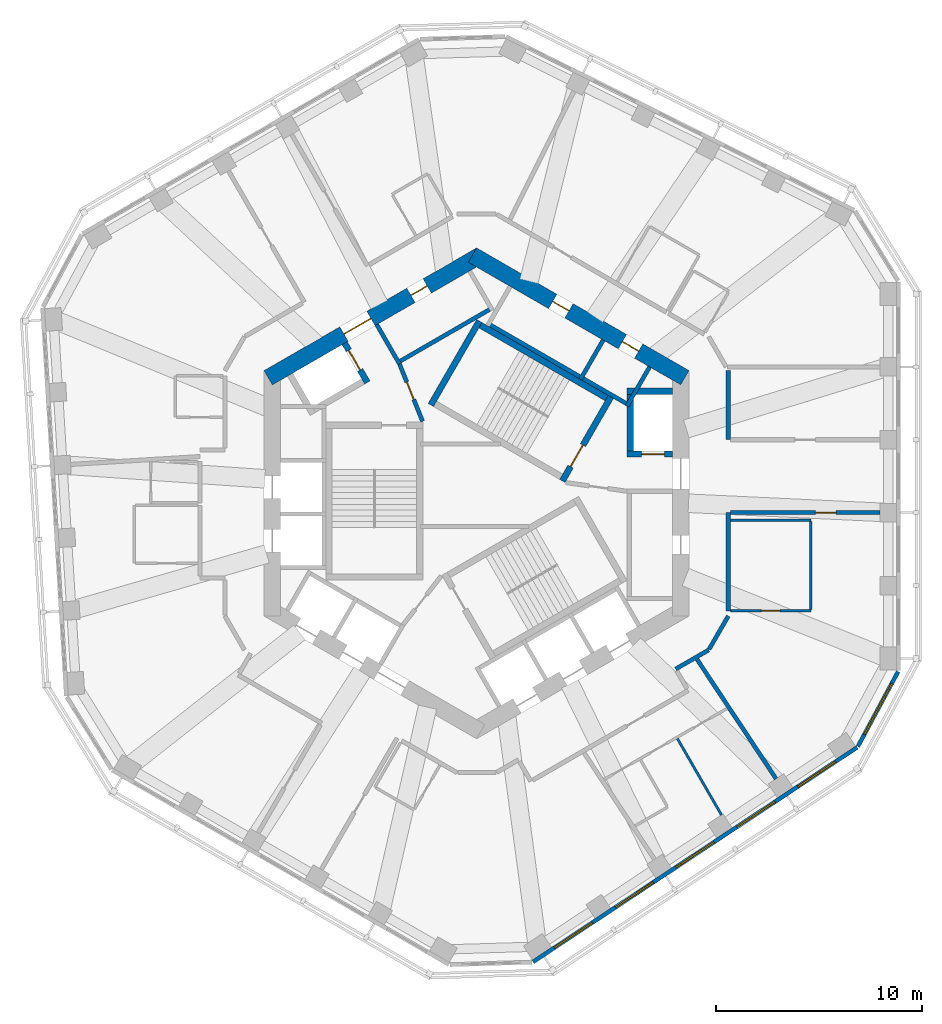
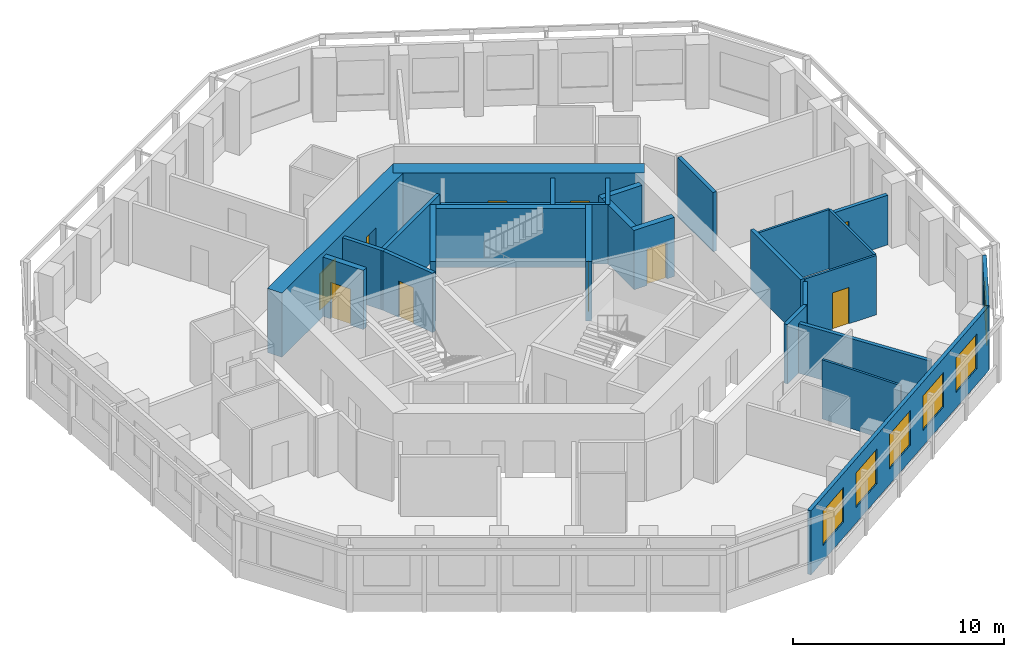
# One storey, part 6 of 11: 27 walls, 10 doors, 6 windows, 16 openings.
"""IFC4 building model written with IfcOpenShell, lengths in metres."""

from ifc_helpers import new_model, si_unit, direction, frame, frame_2d, origin, place, context, subcontext, project, spatial, rectangle, extrude, material, layer, layer_set, type_object, element, fill, save


model = new_model("IFC4")

# Units and contexts
model_context = context("Model", 3, precision=1e-05, world=origin(), true_north=direction((0.0, 1.0)))
body_context = subcontext(model_context, "Body", "Model", "MODEL_VIEW")
ifc_project = project(units=[si_unit("LENGTHUNIT", "METRE"), si_unit("AREAUNIT", "SQUARE_METRE"), si_unit("VOLUMEUNIT", "CUBIC_METRE"), si_unit("PLANEANGLEUNIT", "RADIAN"), si_unit("MASSUNIT", "GRAM", prefix="KILO")], contexts=[model_context])

# Site, building, storey
site_placement = place(None, origin())
site = spatial("IfcSite", under=ifc_project, at=site_placement, CompositionType="ELEMENT")
building_placement = place(site_placement, origin())
building = spatial("IfcBuilding", under=site, at=building_placement, Name="Vanh Sen Convention Tower", CompositionType="ELEMENT")
storey_placement = place(building_placement, frame((0.0, 0.0, 240.199951171875)))
storey = spatial("IfcBuildingStorey", under=building, at=storey_placement, Name="L59", CompositionType="ELEMENT", Elevation=240.199951171875)

# Walls
ifc_material_1 = material(Name="Moisture-resistant gypsum board on steel studs", Category="steel")
ifc_layer_1 = layer(ifc_material_1, 0.1201171875)
ifc_layer_set_1 = layer_set([ifc_layer_1], Name="Moisture-resistant gypsum board on steel studs")
wall_type_1 = type_object("IfcWallType", Name="Bathroom partition 120", PredefinedType="PARTITIONING", material=ifc_layer_set_1)
wall_1_placement = place(storey_placement, frame((11.8701171875, -15.587890625, 0.0), z_axis=(0.0, 0.0, 1.0), x_axis=(-0.49999774064, 0.866026708223, 0.0)))
element("IfcWall", 1, at=wall_1_placement, inside=storey, type_object=wall_type_1, Name="Bathroom partition 120", PredefinedType="PARTITIONING", context=body_context, shape_type="SweptSolid", body=[
    extrude(rectangle(XDim=4.2734375, YDim=0.1201171875, at=frame_2d((2.13671875, 0.0))), origin(), (0.0, 0.0, 1.0), 3.420166015625),
])
wall_2_placement = place(storey_placement, frame((12.300048828125, -1.296630859375, 0.0), z_axis=(0.0, 0.0, 1.0), x_axis=(1.0, 0.0, 0.0)))
element("IfcWall", 2, at=wall_2_placement, inside=storey, type_object=wall_type_1, Name="Bathroom partition 120", PredefinedType="PARTITIONING", context=body_context, shape_type="SweptSolid", body=[
    extrude(rectangle(XDim=3.89990234375, YDim=0.1201171875, at=frame_2d((1.949951171875, 0.0))), origin(), (0.0, 0.0, 1.0), 3.420166015625),
])

# Wall, opening, door
wall_3_placement = place(storey_placement, frame((16.199951171875, -5.69677734375, 0.0), z_axis=(0.0, 0.0, 1.0), x_axis=(-1.0, 0.0, 0.0)))
wall_3 = element("IfcWall", 3, at=wall_3_placement, inside=storey, type_object=wall_type_1, Name="Bathroom partition 120", PredefinedType="PARTITIONING", context=body_context, shape_type="SweptSolid", body=[
    extrude(rectangle(XDim=3.89990234375, YDim=0.1201171875, at=frame_2d((1.949951171875, 0.0))), origin(), (0.0, 0.0, 1.0), 3.420166015625),
])
opening_1_placement = place(wall_3_placement, frame((1.5, 0.0, 0.0)))
opening_1 = element("IfcOpeningElement", 4, at=opening_1_placement, cuts=wall_3, Name="Opening D59119", PredefinedType="OPENING", context=body_context, shape_type="SweptSolid", body=[
    extrude(rectangle(XDim=0.89990234375, YDim=2.10009765625, at=frame_2d((0.449951171875, 1.050048828125))), frame((0.0, 0.070068359375, 0.0), z_axis=(0.0, -1.0, 0.0), x_axis=(1.0, 0.0, 0.0)), (0.0, 0.0, 1.0), 0.14013671875),
])
ifc_material_2 = material(Name="Laminate door in steel frame", Category="steel")
door_type_1 = type_object("IfcDoorType", Name="Room internal door 900", OperationType="SINGLE_SWING_LEFT", PredefinedType="DOOR", material=ifc_material_2)
door_1_placement = place(opening_1_placement, origin())
door_1 = element("IfcDoor", 5, at=door_1_placement, inside=storey, type_object=door_type_1, Name="Internal room door D59119", OperationType="SINGLE_SWING_LEFT", OverallHeight=2.10009765625, OverallWidth=0.89990234375, PredefinedType="DOOR", context=body_context, shape_type="SweptSolid", body=[
    extrude(rectangle(XDim=0.89990234375, YDim=2.10009765625, at=frame_2d((0.449951171875, 1.050048828125))), frame((0.0, 0.02490234375, 0.0), z_axis=(0.0, -1.0, 0.0), x_axis=(1.0, 0.0, 0.0)), (0.0, 0.0, 1.0), 0.050048828125),
])
fill(opening_1, door_1)

# Wall
wall_4_placement = place(storey_placement, frame((16.199951171875, -1.356689453125, 0.0), z_axis=(0.0, 0.0, 1.0), x_axis=(0.0, -1.0, 0.0)))
element("IfcWall", 6, at=wall_4_placement, inside=storey, type_object=wall_type_1, Name="Bathroom partition 120", PredefinedType="PARTITIONING", context=body_context, shape_type="SweptSolid", body=[
    extrude(rectangle(XDim=4.280029296875, YDim=0.1201171875, at=frame_2d((2.14013671875, 0.0))), origin(), (0.0, 0.0, 1.0), 3.420166015625),
])

# Wall, openings, doors
ifc_material_3 = material(Name="Concrete C60/75", Category="concrete")
ifc_layer_2 = layer(ifc_material_3, 0.800048828125)
ifc_layer_set_2 = layer_set([ifc_layer_2], Name="Concrete C60/75")
wall_type_2 = type_object("IfcWallType", Name="Core outer wall 800 C60/75", PredefinedType="SHEAR", material=ifc_layer_set_2)
wall_5_placement = place(storey_placement, frame((10.10009765625, 5.600341796875, 0.0), z_axis=(0.0, 0.0, 1.0), x_axis=(-0.866023897231, 0.500002609418, 0.0)))
wall_5 = element("IfcWall", 7, at=wall_5_placement, inside=storey, type_object=wall_type_2, Name="Core wall face NE L59", PredefinedType="SHEAR", context=body_context, shape_type="SweptSolid", body=[
    extrude(rectangle(XDim=11.8935546875, YDim=0.800048828125, at=frame_2d((5.94677734375, 0.0))), origin(), (0.0, 0.0, 1.0), 3.699951171875),
])
opening_2_placement = place(wall_5_placement, frame((2.5966796875, 0.0, 0.0)))
opening_2 = element("IfcOpeningElement", 8, at=opening_2_placement, cuts=wall_5, Name="Opening D59011", PredefinedType="OPENING", context=body_context, shape_type="SweptSolid", body=[
    extrude(rectangle(XDim=0.89990234375, YDim=2.10009765625, at=frame_2d((0.449951171875, 1.050048828125))), frame((0.0, 0.409912109375, 0.0), z_axis=(0.0, -1.0, 0.0), x_axis=(1.0, 0.0, 0.0)), (0.0, 0.0, 1.0), 0.820068359375),
])
opening_3_placement = place(wall_5_placement, frame((6.49658203125, 0.0, 0.0)))
opening_3 = element("IfcOpeningElement", 9, at=opening_3_placement, cuts=wall_5, Name="Opening D59012", PredefinedType="OPENING", context=body_context, shape_type="SweptSolid", body=[
    extrude(rectangle(XDim=0.89990234375, YDim=2.10009765625, at=frame_2d((0.449951171875, 1.050048828125))), frame((0.0, 0.409912109375, 0.0), z_axis=(0.0, -1.0, 0.0), x_axis=(1.0, 0.0, 0.0)), (0.0, 0.0, 1.0), 0.820068359375),
])
ifc_material_4 = material(Name="Steel S355", Category="steel")
door_type_2 = type_object("IfcDoorType", Name="Plant door 900", OperationType="SINGLE_SWING_LEFT", PredefinedType="DOOR", material=ifc_material_4)
door_2_placement = place(opening_2_placement, origin())
door_2 = element("IfcDoor", 10, at=door_2_placement, inside=storey, type_object=door_type_2, Name="Plant door D59011", OperationType="SINGLE_SWING_LEFT", OverallHeight=2.10009765625, OverallWidth=0.89990234375, PredefinedType="DOOR", context=body_context, shape_type="SweptSolid", body=[
    extrude(rectangle(XDim=0.89990234375, YDim=2.10009765625, at=frame_2d((0.449951171875, 1.050048828125))), frame((0.0, 0.02490234375, 0.0), z_axis=(0.0, -1.0, 0.0), x_axis=(1.0, 0.0, 0.0)), (0.0, 0.0, 1.0), 0.050048828125),
])
fill(opening_2, door_2)
door_3_placement = place(opening_3_placement, origin())
door_3 = element("IfcDoor", 11, at=door_3_placement, inside=storey, type_object=door_type_2, Name="Plant door D59012", OperationType="SINGLE_SWING_LEFT", OverallHeight=2.10009765625, OverallWidth=0.89990234375, PredefinedType="DOOR", context=body_context, shape_type="SweptSolid", body=[
    extrude(rectangle(XDim=0.89990234375, YDim=2.10009765625, at=frame_2d((0.449951171875, 1.050048828125))), frame((0.0, 0.02490234375, 0.0), z_axis=(0.0, -1.0, 0.0), x_axis=(1.0, 0.0, 0.0)), (0.0, 0.0, 1.0), 0.050048828125),
])
fill(opening_3, door_3)

wall_6_placement = place(storey_placement, frame((0.199951171875, 11.547119140625, 0.0), z_axis=(0.0, 0.0, 1.0), x_axis=(-0.866023897231, -0.500002609418, 0.0)))
wall_6 = element("IfcWall", 12, at=wall_6_placement, inside=storey, type_object=wall_type_2, Name="Core wall face NW L59", PredefinedType="SHEAR", context=body_context, shape_type="SweptSolid", body=[
    extrude(rectangle(XDim=11.8935546875, YDim=0.800048828125, at=frame_2d((5.94677734375, 0.0))), origin(), (0.0, 0.0, 1.0), 3.699951171875),
])
opening_4_placement = place(wall_6_placement, frame((6.146728515625, 0.0, 0.0)))
opening_4 = element("IfcOpeningElement", 13, at=opening_4_placement, cuts=wall_6, Name="Opening D59002", PredefinedType="OPENING", context=body_context, shape_type="SweptSolid", body=[
    extrude(rectangle(XDim=1.5, YDim=2.10009765625, at=frame_2d((0.75, 1.050048828125))), frame((0.0, 0.409912109375, 0.0), z_axis=(0.0, -1.0, 0.0), x_axis=(1.0, 0.0, 0.0)), (0.0, 0.0, 1.0), 0.820068359375),
])
opening_5_placement = place(wall_6_placement, frame((2.99658203125, 0.0, 0.0)))
opening_5 = element("IfcOpeningElement", 14, at=opening_5_placement, cuts=wall_6, Name="Opening D59013", PredefinedType="OPENING", context=body_context, shape_type="SweptSolid", body=[
    extrude(rectangle(XDim=0.89990234375, YDim=2.10009765625, at=frame_2d((0.449951171875, 1.050048828125))), frame((0.0, 0.409912109375, 0.0), z_axis=(0.0, -1.0, 0.0), x_axis=(1.0, 0.0, 0.0)), (0.0, 0.0, 1.0), 0.820068359375),
])
door_4_placement = place(opening_5_placement, origin())
door_4 = element("IfcDoor", 15, at=door_4_placement, inside=storey, type_object=door_type_2, Name="Plant door D59013", OperationType="SINGLE_SWING_LEFT", OverallHeight=2.10009765625, OverallWidth=0.89990234375, PredefinedType="DOOR", context=body_context, shape_type="SweptSolid", body=[
    extrude(rectangle(XDim=0.89990234375, YDim=2.10009765625, at=frame_2d((0.449951171875, 1.050048828125))), frame((0.0, 0.02490234375, 0.0), z_axis=(0.0, -1.0, 0.0), x_axis=(1.0, 0.0, 0.0)), (0.0, 0.0, 1.0), 0.050048828125),
])
fill(opening_5, door_4)
door_type_3 = type_object("IfcDoorType", Name="Stair lobby door 1500", OperationType="DOUBLE_DOOR_SINGLE_SWING", PredefinedType="DOOR", material=ifc_material_4)
door_5_placement = place(opening_4_placement, origin())
door_5 = element("IfcDoor", 16, at=door_5_placement, inside=storey, type_object=door_type_3, Name="Stair lobby door D59002", OperationType="DOUBLE_DOOR_SINGLE_SWING", OverallHeight=2.10009765625, OverallWidth=1.5, PredefinedType="DOOR", context=body_context, shape_type="SweptSolid", body=[
    extrude(rectangle(XDim=1.5, YDim=2.10009765625, at=frame_2d((0.75, 1.050048828125))), frame((0.0, 0.02490234375, 0.0), z_axis=(0.0, -1.0, 0.0), x_axis=(1.0, 0.0, 0.0)), (0.0, 0.0, 1.0), 0.050048828125),
])
fill(opening_4, door_5)

# Walls
ifc_material_5 = material(Name="Gypsum board on steel studs with mineral wool", Category="steel")
ifc_layer_3 = layer(ifc_material_5, 0.199951171875)
ifc_layer_set_3 = layer_set([ifc_layer_3], Name="Gypsum board on steel studs with mineral wool")
wall_type_3 = type_object("IfcWallType", Name="Corridor partition wall 200", PredefinedType="PARTITIONING", material=ifc_layer_set_3)
wall_7_placement = place(storey_placement, frame((9.651611328125, -8.514892578125, 0.0), z_axis=(0.0, 0.0, 1.0), x_axis=(0.866020375458, 0.500008709215, 0.0)))
element("IfcWall", 17, at=wall_7_placement, inside=storey, type_object=wall_type_3, Name="Corridor partition wall 200", PredefinedType="PARTITIONING", context=body_context, shape_type="SweptSolid", body=[
    extrude(rectangle(XDim=1.845703125, YDim=0.199951171875, at=frame_2d((0.9228515625, 0.0))), origin(), (0.0, 0.0, 1.0), 3.420166015625),
])
wall_8_placement = place(storey_placement, frame((11.27001953125, -7.5576171875, 0.0), z_axis=(0.0, 0.0, 1.0), x_axis=(0.499964847546, 0.866045698112, 0.0)))
element("IfcWall", 18, at=wall_8_placement, inside=storey, type_object=wall_type_3, Name="Corridor partition wall 200", PredefinedType="PARTITIONING", context=body_context, shape_type="SweptSolid", body=[
    extrude(rectangle(XDim=1.860107421875, YDim=0.199951171875, at=frame_2d((0.93017578125, 0.0))), origin(), (0.0, 0.0, 1.0), 3.420166015625),
])
wall_9_placement = place(storey_placement, frame((12.199951171875, -5.69677734375, 0.0), z_axis=(0.0, 0.0, 1.0), x_axis=(0.0, 1.0, 0.0)))
element("IfcWall", 19, at=wall_9_placement, inside=storey, type_object=wall_type_3, Name="Corridor partition wall 200", PredefinedType="PARTITIONING", context=body_context, shape_type="SweptSolid", body=[
    extrude(rectangle(XDim=4.76123046875, YDim=0.199951171875, at=frame_2d((2.380615234375, 0.0))), origin(), (0.0, 0.0, 1.0), 3.420166015625),
])
wall_10_placement = place(storey_placement, frame((12.199951171875, 2.59814453125, 0.0), z_axis=(0.0, 0.0, 1.0), x_axis=(0.0, 1.0, 0.0)))
element("IfcWall", 20, at=wall_10_placement, inside=storey, type_object=wall_type_3, Name="Corridor partition wall 200", PredefinedType="PARTITIONING", context=body_context, shape_type="SweptSolid", body=[
    extrude(rectangle(XDim=3.3486328125, YDim=0.199951171875, at=frame_2d((1.67431640625, 0.0))), origin(), (0.0, 0.0, 1.0), 3.420166015625),
])

# Wall, opening, door
wall_11_placement = place(storey_placement, frame((12.300048828125, -0.935546875, 0.0), z_axis=(0.0, 0.0, 1.0), x_axis=(1.0, 0.0, 0.0)))
wall_11 = element("IfcWall", 21, at=wall_11_placement, inside=storey, type_object=wall_type_3, Name="Corridor partition wall 200", PredefinedType="PARTITIONING", context=body_context, shape_type="SweptSolid", body=[
    extrude(rectangle(XDim=7.25, YDim=0.199951171875, at=frame_2d((3.625, 0.0))), origin(), (0.0, 0.0, 1.0), 2.8701171875),
])
opening_6_placement = place(wall_11_placement, frame((4.125, 0.0, 0.0)))
opening_6 = element("IfcOpeningElement", 22, at=opening_6_placement, cuts=wall_11, Name="Opening D59118", PredefinedType="OPENING", context=body_context, shape_type="SweptSolid", body=[
    extrude(rectangle(XDim=1.0, YDim=2.10009765625, at=frame_2d((0.5, 1.050048828125))), frame((0.0, 0.10986328125, 0.0), z_axis=(0.0, -1.0, 0.0), x_axis=(1.0, 0.0, 0.0)), (0.0, 0.0, 1.0), 0.219970703125),
])
ifc_material_6 = material(Name="Glazed fire door in steel frame", Category="steel")
door_type_4 = type_object("IfcDoorType", Name="Tenant entrance door 1000", OperationType="SINGLE_SWING_LEFT", PredefinedType="DOOR", material=ifc_material_6)
door_6_placement = place(opening_6_placement, origin())
door_6 = element("IfcDoor", 23, at=door_6_placement, inside=storey, type_object=door_type_4, Name="Tenant suite entrance door D59118", OperationType="SINGLE_SWING_LEFT", OverallHeight=2.10009765625, OverallWidth=1.0, PredefinedType="DOOR", context=body_context, shape_type="SweptSolid", body=[
    extrude(rectangle(XDim=1.0, YDim=2.10009765625, at=frame_2d((0.5, 1.050048828125))), frame((0.0, 0.02490234375, 0.0), z_axis=(0.0, -1.0, 0.0), x_axis=(1.0, 0.0, 0.0)), (0.0, 0.0, 1.0), 0.050048828125),
])
fill(opening_6, door_6)

# Wall, openings, windows
ifc_material_7 = material(Name="Insulated lightweight infill wall")
ifc_layer_4 = layer(ifc_material_7, 0.199951171875)
ifc_layer_set_4 = layer_set([ifc_layer_4], Name="Insulated lightweight infill wall")
wall_type_4 = type_object("IfcWallType", Name="External wall 200", PredefinedType="STANDARD", material=ifc_layer_set_4)
wall_12_placement = place(storey_placement, frame((2.739013671875, -22.7109375, 0.0), z_axis=(0.0, 0.0, 1.0), x_axis=(0.833885723098, 0.551937134838, 0.0)))
wall_12 = element("IfcWall", 24, at=wall_12_placement, inside=storey, type_object=wall_type_4, Name="External wall SE L59", PredefinedType="STANDARD", context=body_context, shape_type="SweptSolid", body=[
    extrude(rectangle(XDim=18.84130859375, YDim=0.199951171875, at=frame_2d((9.420654296875, 0.0))), origin(), (0.0, 0.0, 1.0), 3.699951171875),
])
opening_7_placement = place(wall_12_placement, frame((1.25244140625, 0.0, 0.89990234375)))
opening_7 = element("IfcOpeningElement", 25, at=opening_7_placement, cuts=wall_12, Name="Opening WO3-SE1", PredefinedType="OPENING", context=body_context, shape_type="SweptSolid", body=[
    extrude(rectangle(XDim=2.199951171875, YDim=2.0, at=frame_2d((1.10009765625, 1.0))), frame((0.0, 0.10986328125, 0.0), z_axis=(0.0, -1.0, 0.0), x_axis=(1.0, 0.0, 0.0)), (0.0, 0.0, 1.0), 0.219970703125),
])
opening_8_placement = place(wall_12_placement, frame((4.7861328125, 0.0, 0.89990234375)))
opening_8 = element("IfcOpeningElement", 26, at=opening_8_placement, cuts=wall_12, Name="Opening WO3-SE2", PredefinedType="OPENING", context=body_context, shape_type="SweptSolid", body=[
    extrude(rectangle(XDim=2.199951171875, YDim=2.0, at=frame_2d((1.10009765625, 1.0))), frame((0.0, 0.10986328125, 0.0), z_axis=(0.0, -1.0, 0.0), x_axis=(1.0, 0.0, 0.0)), (0.0, 0.0, 1.0), 0.219970703125),
])
opening_9_placement = place(wall_12_placement, frame((8.31982421875, 0.0, 0.89990234375)))
opening_9 = element("IfcOpeningElement", 27, at=opening_9_placement, cuts=wall_12, Name="Opening WO3-SE3", PredefinedType="OPENING", context=body_context, shape_type="SweptSolid", body=[
    extrude(rectangle(XDim=2.199951171875, YDim=2.0, at=frame_2d((1.10009765625, 1.0))), frame((0.0, 0.10986328125, 0.0), z_axis=(0.0, -1.0, 0.0), x_axis=(1.0, 0.0, 0.0)), (0.0, 0.0, 1.0), 0.219970703125),
])
opening_10_placement = place(wall_12_placement, frame((11.853515625, 0.0, 0.89990234375)))
opening_10 = element("IfcOpeningElement", 28, at=opening_10_placement, cuts=wall_12, Name="Opening WO3-SE4", PredefinedType="OPENING", context=body_context, shape_type="SweptSolid", body=[
    extrude(rectangle(XDim=2.199951171875, YDim=2.0, at=frame_2d((1.10009765625, 1.0))), frame((0.0, 0.10986328125, 0.0), z_axis=(0.0, -1.0, 0.0), x_axis=(1.0, 0.0, 0.0)), (0.0, 0.0, 1.0), 0.219970703125),
])
opening_11_placement = place(wall_12_placement, frame((15.386962890625, 0.0, 0.89990234375)))
opening_11 = element("IfcOpeningElement", 29, at=opening_11_placement, cuts=wall_12, Name="Opening WO3-SE5", PredefinedType="OPENING", context=body_context, shape_type="SweptSolid", body=[
    extrude(rectangle(XDim=2.199951171875, YDim=2.0, at=frame_2d((1.10009765625, 1.0))), frame((0.0, 0.10986328125, 0.0), z_axis=(0.0, -1.0, 0.0), x_axis=(1.0, 0.0, 0.0)), (0.0, 0.0, 1.0), 0.219970703125),
])
ifc_material_8 = material(Name="Aluminium frame with clear low-emissivity glass", Category="aluminium")
window_type_1 = type_object("IfcWindowType", Name="Office window 2200 x 2000", PartitioningType="SINGLE_PANEL", PredefinedType="WINDOW", material=ifc_material_8)
window_1_placement = place(opening_7_placement, origin())
window_1 = element("IfcWindow", 30, at=window_1_placement, inside=storey, type_object=window_type_1, Name="Window WO3-SE1", OverallHeight=2.0, OverallWidth=2.199951171875, PartitioningType="SINGLE_PANEL", PredefinedType="WINDOW", context=body_context, shape_type="SweptSolid", body=[
    extrude(rectangle(XDim=2.199951171875, YDim=2.0, at=frame_2d((1.10009765625, 1.0))), frame((0.0, 0.030029296875, 0.0), z_axis=(0.0, -1.0, 0.0), x_axis=(1.0, 0.0, 0.0)), (0.0, 0.0, 1.0), 0.06005859375),
])
fill(opening_7, window_1)
window_2_placement = place(opening_8_placement, origin())
window_2 = element("IfcWindow", 31, at=window_2_placement, inside=storey, type_object=window_type_1, Name="Window WO3-SE2", OverallHeight=2.0, OverallWidth=2.199951171875, PartitioningType="SINGLE_PANEL", PredefinedType="WINDOW", context=body_context, shape_type="SweptSolid", body=[
    extrude(rectangle(XDim=2.199951171875, YDim=2.0, at=frame_2d((1.10009765625, 1.0))), frame((0.0, 0.030029296875, 0.0), z_axis=(0.0, -1.0, 0.0), x_axis=(1.0, 0.0, 0.0)), (0.0, 0.0, 1.0), 0.06005859375),
])
fill(opening_8, window_2)
window_3_placement = place(opening_9_placement, origin())
window_3 = element("IfcWindow", 32, at=window_3_placement, inside=storey, type_object=window_type_1, Name="Window WO3-SE3", OverallHeight=2.0, OverallWidth=2.199951171875, PartitioningType="SINGLE_PANEL", PredefinedType="WINDOW", context=body_context, shape_type="SweptSolid", body=[
    extrude(rectangle(XDim=2.199951171875, YDim=2.0, at=frame_2d((1.10009765625, 1.0))), frame((0.0, 0.030029296875, 0.0), z_axis=(0.0, -1.0, 0.0), x_axis=(1.0, 0.0, 0.0)), (0.0, 0.0, 1.0), 0.06005859375),
])
fill(opening_9, window_3)
window_4_placement = place(opening_10_placement, origin())
window_4 = element("IfcWindow", 33, at=window_4_placement, inside=storey, type_object=window_type_1, Name="Window WO3-SE4", OverallHeight=2.0, OverallWidth=2.199951171875, PartitioningType="SINGLE_PANEL", PredefinedType="WINDOW", context=body_context, shape_type="SweptSolid", body=[
    extrude(rectangle(XDim=2.199951171875, YDim=2.0, at=frame_2d((1.10009765625, 1.0))), frame((0.0, 0.030029296875, 0.0), z_axis=(0.0, -1.0, 0.0), x_axis=(1.0, 0.0, 0.0)), (0.0, 0.0, 1.0), 0.06005859375),
])
fill(opening_10, window_4)
window_5_placement = place(opening_11_placement, origin())
window_5 = element("IfcWindow", 34, at=window_5_placement, inside=storey, type_object=window_type_1, Name="Window WO3-SE5", OverallHeight=2.0, OverallWidth=2.199951171875, PartitioningType="SINGLE_PANEL", PredefinedType="WINDOW", context=body_context, shape_type="SweptSolid", body=[
    extrude(rectangle(XDim=2.199951171875, YDim=2.0, at=frame_2d((1.10009765625, 1.0))), frame((0.0, 0.030029296875, 0.0), z_axis=(0.0, -1.0, 0.0), x_axis=(1.0, 0.0, 0.0)), (0.0, 0.0, 1.0), 0.06005859375),
])
fill(opening_11, window_5)

# Wall, opening, window
wall_13_placement = place(storey_placement, frame((18.4833984375, -12.275634765625, 0.0), z_axis=(0.0, 0.0, 1.0), x_axis=(0.473267675015, 0.880918672629, 0.0)))
wall_13 = element("IfcWall", 35, at=wall_13_placement, inside=storey, type_object=wall_type_4, Name="External wall CH6 L59", PredefinedType="STANDARD", context=body_context, shape_type="SweptSolid", body=[
    extrude(rectangle(XDim=4.1298828125, YDim=0.199951171875, at=frame_2d((2.06494140625, 0.0))), origin(), (0.0, 0.0, 1.0), 3.699951171875),
])
opening_12_placement = place(wall_13_placement, frame((0.6650390625, 0.0, 0.89990234375)))
opening_12 = element("IfcOpeningElement", 36, at=opening_12_placement, cuts=wall_13, Name="Opening WO4-CH61", PredefinedType="OPENING", context=body_context, shape_type="SweptSolid", body=[
    extrude(rectangle(XDim=2.800048828125, YDim=2.0, at=frame_2d((1.39990234375, 1.0))), frame((0.0, 0.10986328125, 0.0), z_axis=(0.0, -1.0, 0.0), x_axis=(1.0, 0.0, 0.0)), (0.0, 0.0, 1.0), 0.219970703125),
])
window_type_2 = type_object("IfcWindowType", Name="Office window 2800 x 2000", PartitioningType="SINGLE_PANEL", PredefinedType="WINDOW", material=ifc_material_8)
window_6_placement = place(opening_12_placement, origin())
window_6 = element("IfcWindow", 37, at=window_6_placement, inside=storey, type_object=window_type_2, Name="Window WO4-CH61", OverallHeight=2.0, OverallWidth=2.800048828125, PartitioningType="SINGLE_PANEL", PredefinedType="WINDOW", context=body_context, shape_type="SweptSolid", body=[
    extrude(rectangle(XDim=2.800048828125, YDim=2.0, at=frame_2d((1.39990234375, 1.0))), frame((0.0, 0.030029296875, 0.0), z_axis=(0.0, -1.0, 0.0), x_axis=(1.0, 0.0, 0.0)), (0.0, 0.0, 1.0), 0.06005859375),
])
fill(opening_12, window_6)

# Wall, opening, door
ifc_layer_5 = layer(ifc_material_3, 0.300048828125)
ifc_layer_set_5 = layer_set([ifc_layer_5], Name="Concrete C60/75")
wall_type_5 = type_object("IfcWallType", Name="Fire-fighting lift shaft wall 300", PredefinedType="SHEAR", material=ifc_layer_set_5)
wall_14_placement = place(storey_placement, frame((7.300048828125, 1.89990234375, 0.0), z_axis=(0.0, 0.0, 1.0), x_axis=(1.0, 0.0, 0.0)))
wall_14 = element("IfcWall", 38, at=wall_14_placement, inside=storey, type_object=wall_type_5, Name="Fire-fighting lift shaft wall L59", PredefinedType="SHEAR", context=body_context, shape_type="SweptSolid", body=[
    extrude(rectangle(XDim=2.199951171875, YDim=0.300048828125, at=frame_2d((1.10009765625, 0.0))), origin(), (0.0, 0.0, 1.0), 3.420166015625),
])
opening_13_placement = place(wall_14_placement, frame((0.699951171875, 0.0, 0.0)))
opening_13 = element("IfcOpeningElement", 39, at=opening_13_placement, cuts=wall_14, Name="Opening LD-FF1", PredefinedType="OPENING", context=body_context, shape_type="SweptSolid", body=[
    extrude(rectangle(XDim=1.10009765625, YDim=2.10009765625, at=frame_2d((0.550048828125, 1.050048828125))), frame((0.0, 0.159912109375, 0.0), z_axis=(0.0, -1.0, 0.0), x_axis=(1.0, 0.0, 0.0)), (0.0, 0.0, 1.0), 0.320068359375),
])
ifc_material_9 = material(Name="Stainless steel", Category="steel")
door_type_5 = type_object("IfcDoorType", Name="Fire-fighting lift landing door 1100", OperationType="DOUBLE_DOOR_SLIDING", PredefinedType="DOOR", material=ifc_material_9)
door_7_placement = place(opening_13_placement, origin())
door_7 = element("IfcDoor", 40, at=door_7_placement, inside=storey, type_object=door_type_5, Name="Lift FF1 landing door LD-FF1", OperationType="DOUBLE_DOOR_SLIDING", OverallHeight=2.10009765625, OverallWidth=1.10009765625, PredefinedType="DOOR", context=body_context, shape_type="SweptSolid", body=[
    extrude(rectangle(XDim=1.10009765625, YDim=2.10009765625, at=frame_2d((0.550048828125, 1.050048828125))), frame((0.0, 0.02490234375, 0.0), z_axis=(0.0, -1.0, 0.0), x_axis=(1.0, 0.0, 0.0)), (0.0, 0.0, 1.0), 0.050048828125),
])
fill(opening_13, door_7)

# Walls
wall_15_placement = place(storey_placement, frame((7.449951171875, 1.75, 0.0), z_axis=(0.0, 0.0, 1.0), x_axis=(0.0, 1.0, 0.0)))
element("IfcWall", 41, at=wall_15_placement, inside=storey, type_object=wall_type_5, Name="Fire-fighting lift shaft wall L59", PredefinedType="SHEAR", context=body_context, shape_type="SweptSolid", body=[
    extrude(rectangle(XDim=3.35009765625, YDim=0.300048828125, at=frame_2d((1.675048828125, 0.0))), origin(), (0.0, 0.0, 1.0), 3.420166015625),
])
wall_16_placement = place(storey_placement, frame((7.300048828125, 4.949951171875, 0.0), z_axis=(0.0, 0.0, 1.0), x_axis=(1.0, 0.0, 0.0)))
element("IfcWall", 42, at=wall_16_placement, inside=storey, type_object=wall_type_5, Name="Fire-fighting lift shaft wall L59", PredefinedType="SHEAR", context=body_context, shape_type="SweptSolid", body=[
    extrude(rectangle(XDim=2.199951171875, YDim=0.300048828125, at=frame_2d((1.10009765625, 0.0))), origin(), (0.0, 0.0, 1.0), 3.420166015625),
])

# Wall, opening, door
wall_17_placement = place(storey_placement, frame((-5.29541015625, 5.3720703125, 0.0), z_axis=(0.0, 0.0, 1.0), x_axis=(-0.500077893725, 0.86598042715, 0.0)))
wall_17 = element("IfcWall", 43, at=wall_17_placement, inside=storey, type_object=wall_type_5, Name="Fire-fighting lift shaft wall L59", PredefinedType="SHEAR", context=body_context, shape_type="SweptSolid", body=[
    extrude(rectangle(XDim=2.199951171875, YDim=0.300048828125, at=frame_2d((1.10009765625, 0.0))), origin(), (0.0, 0.0, 1.0), 3.420166015625),
])
opening_14_placement = place(wall_17_placement, frame((0.699951171875, 0.0, 0.0)))
opening_14 = element("IfcOpeningElement", 44, at=opening_14_placement, cuts=wall_17, Name="Opening LD-FF2", PredefinedType="OPENING", context=body_context, shape_type="SweptSolid", body=[
    extrude(rectangle(XDim=1.10009765625, YDim=2.10009765625, at=frame_2d((0.550048828125, 1.050048828125))), frame((0.0, 0.159912109375, 0.0), z_axis=(0.0, -1.0, 0.0), x_axis=(1.0, 0.0, 0.0)), (0.0, 0.0, 1.0), 0.320068359375),
])
door_8_placement = place(opening_14_placement, origin())
door_8 = element("IfcDoor", 45, at=door_8_placement, inside=storey, type_object=door_type_5, Name="Lift FF2 landing door LD-FF2", OperationType="DOUBLE_DOOR_SLIDING", OverallHeight=2.10009765625, OverallWidth=1.10009765625, PredefinedType="DOOR", context=body_context, shape_type="SweptSolid", body=[
    extrude(rectangle(XDim=1.10009765625, YDim=2.10009765625, at=frame_2d((0.550048828125, 1.050048828125))), frame((0.0, 0.02490234375, 0.0), z_axis=(0.0, -1.0, 0.0), x_axis=(1.0, 0.0, 0.0)), (0.0, 0.0, 1.0), 0.050048828125),
])
fill(opening_14, door_8)

# Walls
ifc_material_10 = material(Name="Concrete C40/50", Category="concrete")
ifc_layer_6 = layer(ifc_material_10, 0.199951171875)
ifc_layer_set_6 = layer_set([ifc_layer_6], Name="Concrete C40/50")
wall_type_6 = type_object("IfcWallType", Name="Lift shaft wall 200", PredefinedType="PARTITIONING", material=ifc_layer_set_6)
wall_18_placement = place(storey_placement, frame((7.423828125, 4.258544921875, 0.0), z_axis=(0.0, 0.0, 1.0), x_axis=(-0.866026010844, 0.49999894854, 0.0)))
element("IfcWall", 46, at=wall_18_placement, inside=storey, type_object=wall_type_6, Name="Lift shaft wall L59", PredefinedType="PARTITIONING", context=body_context, shape_type="SweptSolid", body=[
    extrude(rectangle(XDim=8.0, YDim=0.199951171875, at=frame_2d((4.0, 0.0))), origin(), (0.0, 0.0, 1.0), 3.420166015625),
])
for number, where, z_axis, x_axis, name in (
    (47, (7.287353515625, 4.221923828125, 0.0), (0.0, 0.0, 1.0), (0.499946605688, 0.86605622881, 0.0), "Lift shaft wall L59"),
    (48, (5.03564453125, 5.52197265625, 0.0), (0.0, 0.0, 1.0), (0.499946605688, 0.86605622881, 0.0), "Lift shaft wall L59"),
):
    element("IfcWall", number, at=place(storey_placement, frame(where, z_axis=z_axis, x_axis=x_axis)), inside=storey, type_object=wall_type_6, Name=name, PredefinedType="PARTITIONING", context=body_context, shape_type="SweptSolid", body=[
        extrude(rectangle(XDim=2.199951171875, YDim=0.199951171875, at=frame_2d((1.10009765625, 0.0))), origin(), (0.0, 0.0, 1.0), 3.420166015625),
    ])
wall_19_placement = place(storey_placement, frame((0.80322265625, 9.008544921875, 0.0), z_axis=(0.0, 0.0, 1.0), x_axis=(-0.866028230842, -0.499995103361, 0.0)))
element("IfcWall", 49, at=wall_19_placement, inside=storey, type_object=wall_type_6, Name="Lift shaft wall L59", PredefinedType="PARTITIONING", context=body_context, shape_type="SweptSolid", body=[
    extrude(rectangle(XDim=5.39990234375, YDim=0.199951171875, at=frame_2d((2.699951171875, 0.0))), origin(), (0.0, 0.0, 1.0), 3.420166015625),
])
wall_20_placement = place(storey_placement, frame((-3.736572265625, 6.27197265625, 0.0), z_axis=(0.0, 0.0, 1.0), x_axis=(-0.50002983664, 0.866008176907, 0.0)))
element("IfcWall", 50, at=wall_20_placement, inside=storey, type_object=wall_type_6, Name="Lift shaft wall L59", PredefinedType="PARTITIONING", context=body_context, shape_type="SweptSolid", body=[
    extrude(rectangle(XDim=2.199951171875, YDim=0.199951171875, at=frame_2d((1.10009765625, 0.0))), origin(), (0.0, 0.0, 1.0), 3.420166015625),
])

# Wall, opening, door
ifc_layer_7 = layer(ifc_material_10, 0.199951171875)
ifc_layer_set_7 = layer_set([ifc_layer_7], Name="Concrete C40/50")
wall_type_7 = type_object("IfcWallType", Name="Stair lobby wall 200", PredefinedType="PARTITIONING", material=ifc_layer_set_7)
wall_21_placement = place(storey_placement, frame((-2.614990234375, 3.487060546875, 0.0), z_axis=(0.0, 0.0, 1.0), x_axis=(-0.373576831041, 0.92759924068, 0.0)))
wall_21 = element("IfcWall", 51, at=wall_21_placement, inside=storey, type_object=wall_type_7, Name="Stair lobby wall L59", PredefinedType="PARTITIONING", context=body_context, shape_type="SweptSolid", body=[
    extrude(rectangle(XDim=3.002197265625, YDim=0.199951171875, at=frame_2d((1.5009765625, 0.0))), origin(), (0.0, 0.0, 1.0), 3.420166015625),
])
opening_15_placement = place(wall_21_placement, frame((1.14990234375, 0.0, 0.0)))
opening_15 = element("IfcOpeningElement", 52, at=opening_15_placement, cuts=wall_21, Name="Opening D59008", PredefinedType="OPENING", context=body_context, shape_type="SweptSolid", body=[
    extrude(rectangle(XDim=0.89990234375, YDim=2.10009765625, at=frame_2d((0.449951171875, 1.050048828125))), frame((0.0, 0.10986328125, 0.0), z_axis=(0.0, -1.0, 0.0), x_axis=(1.0, 0.0, 0.0)), (0.0, 0.0, 1.0), 0.219970703125),
])
door_9_placement = place(opening_15_placement, origin())
door_9 = element("IfcDoor", 53, at=door_9_placement, inside=storey, type_object=door_type_2, Name="Plant door D59008", OperationType="SINGLE_SWING_LEFT", OverallHeight=2.10009765625, OverallWidth=0.89990234375, PredefinedType="DOOR", context=body_context, shape_type="SweptSolid", body=[
    extrude(rectangle(XDim=0.89990234375, YDim=2.10009765625, at=frame_2d((0.449951171875, 1.050048828125))), frame((0.0, 0.02490234375, 0.0), z_axis=(0.0, -1.0, 0.0), x_axis=(1.0, 0.0, 0.0)), (0.0, 0.0, 1.0), 0.050048828125),
])
fill(opening_15, door_9)

ifc_layer_8 = layer(ifc_material_3, 0.300048828125)
ifc_layer_set_8 = layer_set([ifc_layer_8], Name="Concrete C60/75")
wall_type_8 = type_object("IfcWallType", Name="Stair wall 300", PredefinedType="SHEAR", material=ifc_layer_set_8)
wall_22_placement = place(storey_placement, frame((4.157958984375, 0.601806640625, 0.0), z_axis=(0.0, 0.0, 1.0), x_axis=(0.499977259774, 0.866038532462, 0.0)))
wall_22 = element("IfcWall", 54, at=wall_22_placement, inside=storey, type_object=wall_type_8, Name="Stair wall L59", PredefinedType="SHEAR", context=body_context, shape_type="SweptSolid", body=[
    extrude(rectangle(XDim=4.699951171875, YDim=0.300048828125, at=frame_2d((2.35009765625, 0.0))), origin(), (0.0, 0.0, 1.0), 3.420166015625),
])
opening_16_placement = place(wall_22_placement, frame((0.800048828125, 0.0, 0.0)))
opening_16 = element("IfcOpeningElement", 55, at=opening_16_placement, cuts=wall_22, Name="Opening D59004", PredefinedType="OPENING", context=body_context, shape_type="SweptSolid", body=[
    extrude(rectangle(XDim=1.199951171875, YDim=2.10009765625, at=frame_2d((0.60009765625, 1.050048828125))), frame((0.0, 0.159912109375, 0.0), z_axis=(0.0, -1.0, 0.0), x_axis=(1.0, 0.0, 0.0)), (0.0, 0.0, 1.0), 0.320068359375),
])
door_type_6 = type_object("IfcDoorType", Name="Stair door 1200", OperationType="SINGLE_SWING_RIGHT", PredefinedType="DOOR", material=ifc_material_4)
door_10_placement = place(opening_16_placement, origin())
door_10 = element("IfcDoor", 56, at=door_10_placement, inside=storey, type_object=door_type_6, Name="Stair ST1 door D59004", OperationType="SINGLE_SWING_RIGHT", OverallHeight=2.10009765625, OverallWidth=1.199951171875, PredefinedType="DOOR", context=body_context, shape_type="SweptSolid", body=[
    extrude(rectangle(XDim=1.199951171875, YDim=2.10009765625, at=frame_2d((0.60009765625, 1.050048828125))), frame((0.0, 0.02490234375, 0.0), z_axis=(0.0, -1.0, 0.0), x_axis=(1.0, 0.0, 0.0)), (0.0, 0.0, 1.0), 0.050048828125),
])
fill(opening_16, door_10)

# Walls
wall_23_placement = place(storey_placement, frame((-2.216064453125, 4.28173828125, 0.0), z_axis=(0.0, 0.0, 1.0), x_axis=(0.499977259774, 0.866038532462, 0.0)))
element("IfcWall", 57, at=wall_23_placement, inside=storey, type_object=wall_type_8, Name="Stair wall L59", PredefinedType="SHEAR", context=body_context, shape_type="SweptSolid", body=[
    extrude(rectangle(XDim=4.699951171875, YDim=0.300048828125, at=frame_2d((2.35009765625, 0.0))), origin(), (0.0, 0.0, 1.0), 3.420166015625),
])
wall_24_placement = place(storey_placement, frame((6.302978515625, 4.6171875, 0.0), z_axis=(0.0, 0.0, 1.0), x_axis=(-0.866027801685, 0.499995846692, 0.0)))
element("IfcWall", 58, at=wall_24_placement, inside=storey, type_object=wall_type_8, Name="Stair wall L59", PredefinedType="SHEAR", context=body_context, shape_type="SweptSolid", body=[
    extrude(rectangle(XDim=7.06005859375, YDim=0.300048828125, at=frame_2d((3.530029296875, 0.0))), origin(), (0.0, 0.0, 1.0), 3.420166015625),
])
ifc_layer_9 = layer(ifc_material_5, 0.199951171875)
ifc_layer_set_9 = layer_set([ifc_layer_9], Name="Gypsum board on steel studs with mineral wool")
wall_type_9 = type_object("IfcWallType", Name="Tenant suite wall 200", PredefinedType="PARTITIONING", material=ifc_layer_set_9)
wall_25_placement = place(storey_placement, frame((14.51708984375, -13.835693359375, 0.0), z_axis=(0.0, 0.0, 1.0), x_axis=(-0.551938455794, 0.833884848775, 0.0)))
element("IfcWall", 59, at=wall_25_placement, inside=storey, type_object=wall_type_9, Name="Tenant suite wall 200", PredefinedType="PARTITIONING", context=body_context, shape_type="SweptSolid", body=[
    extrude(rectangle(XDim=6.94384765625, YDim=0.199951171875, at=frame_2d((3.471923828125, 0.0))), origin(), (0.0, 0.0, 1.0), 2.8701171875),
])

save(model, "model.ifc")
